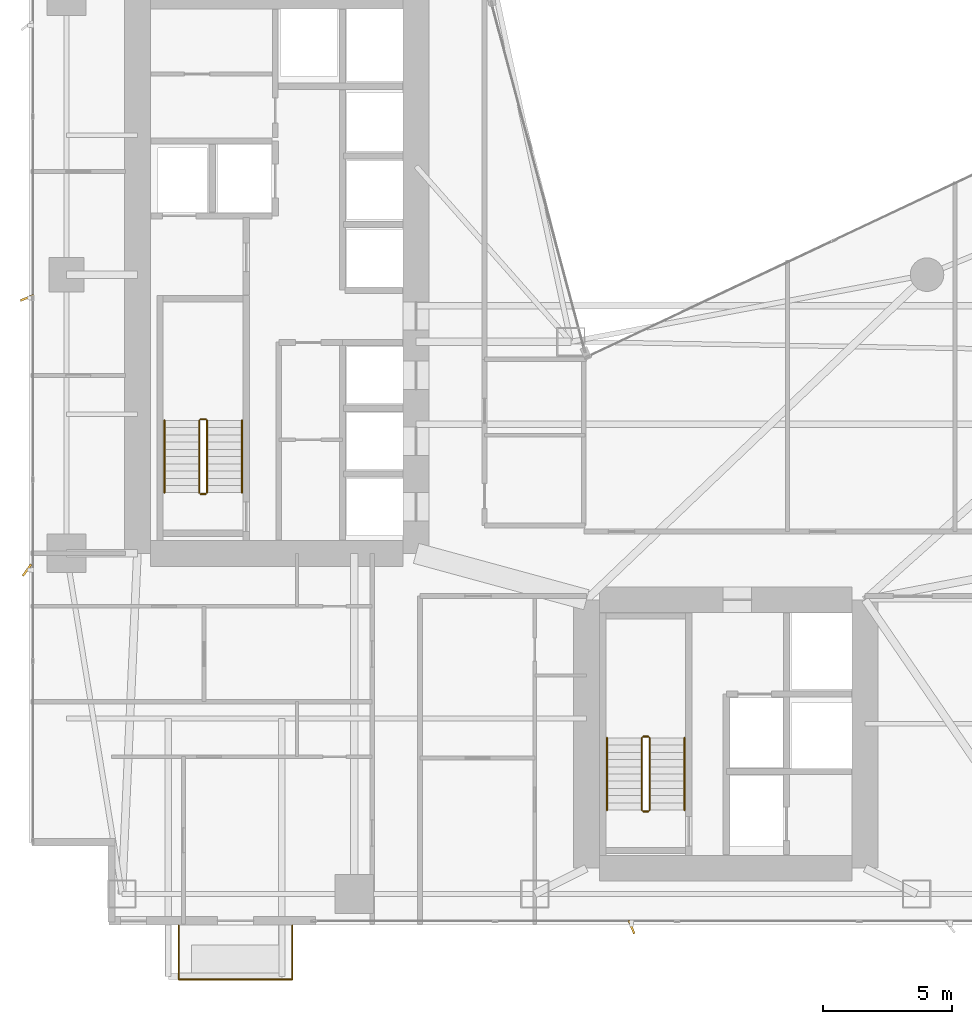
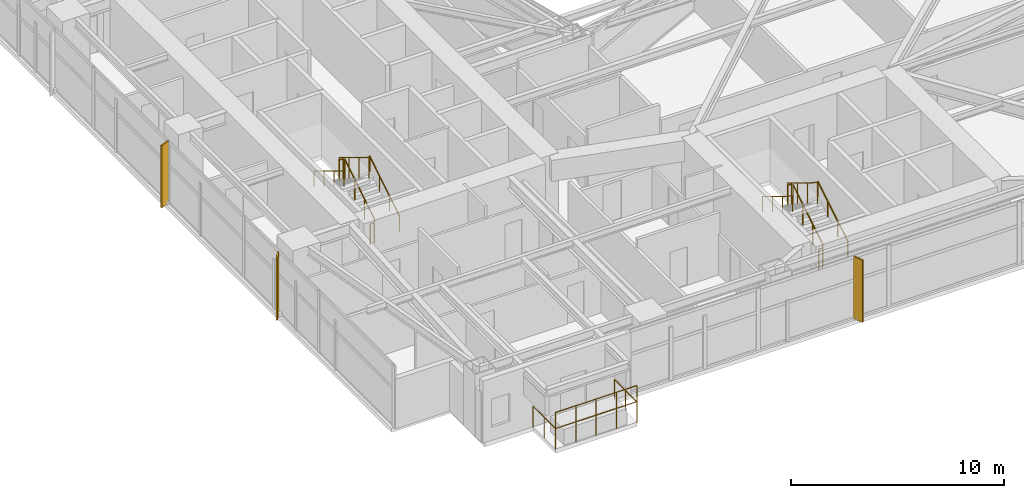
# One storey, part 28 of 29: 14 railings, 3 shading devices.
"""IFC4 building model written with IfcOpenShell, lengths in metres."""

from ifc_helpers import new_model, si_unit, direction, frame, origin, origin_2d, place, context, subcontext, project, spatial, rectangle, circle, extrude, material, type_object, element, save


model = new_model("IFC4")

# Units and contexts
model_context = context("Model", 3, precision=1e-05, world=origin(), true_north=direction((0.0, 1.0)))
body_context = subcontext(model_context, "Body", "Model", "MODEL_VIEW")
ifc_project = project(units=[si_unit("LENGTHUNIT", "METRE"), si_unit("AREAUNIT", "SQUARE_METRE"), si_unit("VOLUMEUNIT", "CUBIC_METRE"), si_unit("PLANEANGLEUNIT", "RADIAN"), si_unit("MASSUNIT", "GRAM", prefix="KILO")], contexts=[model_context])

# Site, building, storey
site_placement = place(None, origin())
site = spatial("IfcSite", under=ifc_project, at=site_placement, CompositionType="ELEMENT")
building_placement = place(site_placement, origin())
building = spatial("IfcBuilding", under=site, at=building_placement, Name="Calvorn Quay Hotel", CompositionType="ELEMENT")
storey_placement = place(building_placement, frame((0.0, 0.0, 85.0)))
storey = spatial("IfcBuildingStorey", under=building, at=storey_placement, Name="L20", CompositionType="ELEMENT", Elevation=85.0)

# Railings
ifc_material_1 = material(Name="Pale Anodised Aluminium and Laminated Glass", Category="aluminium")
railing_type_1 = type_object("IfcRailingType", Name="RLG-BALUSTRADE-1200", PredefinedType="BALUSTRADE", material=ifc_material_1)
railing_1_placement = place(storey_placement, frame((5.800048828125, 2.389892578125, 0.0)))
element("IfcRailing", 1, at=railing_1_placement, inside=storey, type_object=railing_type_1, Name="Tree Balcony Perimeter Balustrade L20-BALC-S", PredefinedType="BALUSTRADE", context=body_context, shape_type="SweptSolid", body=[
    extrude(circle(Radius=0.02392578125, at=origin_2d()), frame((0.0, 0.0, 1.17578125), z_axis=(0.0, -1.0, 0.0), x_axis=(1.0, 0.0, 0.0)), (0.0, 0.0, 1.0), 2.099853515625),
    extrude(circle(Radius=0.02392578125, at=origin_2d()), frame((0.0, -2.099853515625, 1.17578125), z_axis=(1.0, 0.0, 0.0), x_axis=(0.0, 1.0, 0.0)), (0.0, 0.0, 1.0), 4.39990234375),
    extrude(circle(Radius=0.02392578125, at=origin_2d()), frame((4.39990234375, -2.099853515625, 1.17578125), z_axis=(0.0, 1.0, 0.0), x_axis=(-1.0, 0.0, 0.0)), (0.0, 0.0, 1.0), 2.099853515625),
    extrude(circle(Radius=0.02099609375, at=origin_2d()), origin(), (0.0, 0.0, 1.0), 1.15185546875),
    extrude(circle(Radius=0.02099609375, at=origin_2d()), frame((0.0, -1.0498046875, 0.0)), (0.0, 0.0, 1.0), 1.15185546875),
    extrude(circle(Radius=0.02099609375, at=origin_2d()), frame((0.0, -2.099853515625, 0.0)), (0.0, 0.0, 1.0), 1.15185546875),
    extrude(circle(Radius=0.02099609375, at=origin_2d()), frame((1.10009765625, -2.099853515625, 0.0)), (0.0, 0.0, 1.0), 1.15185546875),
    extrude(circle(Radius=0.02099609375, at=origin_2d()), frame((2.199951171875, -2.099853515625, 0.0)), (0.0, 0.0, 1.0), 1.15185546875),
    extrude(circle(Radius=0.02099609375, at=origin_2d()), frame((3.2998046875, -2.099853515625, 0.0)), (0.0, 0.0, 1.0), 1.15185546875),
    extrude(circle(Radius=0.02099609375, at=origin_2d()), frame((4.39990234375, -2.099853515625, 0.0)), (0.0, 0.0, 1.0), 1.15185546875),
    extrude(circle(Radius=0.02099609375, at=origin_2d()), frame((4.39990234375, -1.0498046875, 0.0)), (0.0, 0.0, 1.0), 1.15185546875),
    extrude(circle(Radius=0.02099609375, at=origin_2d()), frame((4.39990234375, 0.0, 0.0)), (0.0, 0.0, 1.0), 1.15185546875),
])
railing_2_placement = place(storey_placement, frame((5.800048828125, 0.2900390625, 0.89990234375)))
element("IfcRailing", 2, at=railing_2_placement, inside=storey, type_object=railing_type_1, Name="Planter Kerb High Safety Screen L20-BALC-S", PredefinedType="BALUSTRADE", context=body_context, shape_type="SweptSolid", body=[
    extrude(circle(Radius=0.02392578125, at=origin_2d()), frame((0.0, 0.0, 1.19580078125), z_axis=(1.0, 0.0, 0.0), x_axis=(0.0, 1.0, 0.0)), (0.0, 0.0, 1.0), 4.39990234375),
    extrude(circle(Radius=0.02099609375, at=origin_2d()), origin(), (0.0, 0.0, 1.0), 1.171875),
    extrude(circle(Radius=0.02099609375, at=origin_2d()), frame((1.10009765625, 0.0, 0.0)), (0.0, 0.0, 1.0), 1.171875),
    extrude(circle(Radius=0.02099609375, at=origin_2d()), frame((2.199951171875, 0.0, 0.0)), (0.0, 0.0, 1.0), 1.171875),
    extrude(circle(Radius=0.02099609375, at=origin_2d()), frame((3.2998046875, 0.0, 0.0)), (0.0, 0.0, 1.0), 1.171875),
    extrude(circle(Radius=0.02099609375, at=origin_2d()), frame((4.39990234375, 0.0, 0.0)), (0.0, 0.0, 1.0), 1.171875),
])
ifc_material_2 = material(Name="Brushed Stainless Steel Handrail", Category="steel")
railing_type_2 = type_object("IfcRailingType", Name="RLG-HANDRAIL-900", PredefinedType="HANDRAIL", material=ifc_material_2)
railing_3_placement = place(storey_placement, frame((8.25, 19.14990234375, 0.172607421875)))
element("IfcRailing", 3, at=railing_3_placement, inside=storey, type_object=railing_type_2, Name="L20 ST-W stair handrail 1", PredefinedType="HANDRAIL", context=body_context, shape_type="SweptSolid", body=[
    extrude(circle(Radius=0.02392578125, at=origin_2d()), frame((0.0, 0.0, 0.8759765625), z_axis=(0.0, 0.851089632645, 0.525020415988), x_axis=(-1.0, 0.0, 0.0)), (0.0, 0.0, 1.0), 3.2900390625),
    extrude(circle(Radius=0.02099609375, at=origin_2d()), origin(), (0.0, 0.0, 1.0), 0.851806640625),
    extrude(circle(Radius=0.02099609375, at=origin_2d()), frame((0.0, 0.933349609375, 0.57568359375)), (0.0, 0.0, 1.0), 0.851806640625),
    extrude(circle(Radius=0.02099609375, at=origin_2d()), frame((0.0, 1.86669921875, 1.151611328125)), (0.0, 0.0, 1.0), 0.851806640625),
    extrude(circle(Radius=0.02099609375, at=origin_2d()), frame((0.0, 2.800048828125, 1.727294921875)), (0.0, 0.0, 1.0), 0.851806640625),
])
railing_4_placement = place(storey_placement, frame((5.25, 21.949951171875, 2.07275390625)))
element("IfcRailing", 4, at=railing_4_placement, inside=storey, type_object=railing_type_2, Name="L20 ST-W stair handrail 2", PredefinedType="HANDRAIL", context=body_context, shape_type="SweptSolid", body=[
    extrude(circle(Radius=0.02392578125, at=origin_2d()), frame((0.0, 0.0, 0.8759765625), z_axis=(0.0, -0.851089632645, 0.525020415988), x_axis=(1.0, 0.0, 0.0)), (0.0, 0.0, 1.0), 3.2900390625),
    extrude(circle(Radius=0.02099609375, at=origin_2d()), origin(), (0.0, 0.0, 1.0), 0.851806640625),
    extrude(circle(Radius=0.02099609375, at=origin_2d()), frame((0.0, -0.933349609375, 0.57568359375)), (0.0, 0.0, 1.0), 0.851806640625),
    extrude(circle(Radius=0.02099609375, at=origin_2d()), frame((0.0, -1.86669921875, 1.151611328125)), (0.0, 0.0, 1.0), 0.851806640625),
    extrude(circle(Radius=0.02099609375, at=origin_2d()), frame((0.0, -2.800048828125, 1.727294921875)), (0.0, 0.0, 1.0), 0.851806640625),
])
railing_5_placement = place(storey_placement, frame((25.39990234375, 6.85009765625, 0.172607421875)))
element("IfcRailing", 5, at=railing_5_placement, inside=storey, type_object=railing_type_2, Name="L20 ST-E stair handrail 1", PredefinedType="HANDRAIL", context=body_context, shape_type="SweptSolid", body=[
    extrude(circle(Radius=0.02392578125, at=origin_2d()), frame((0.0, 0.0, 0.8759765625), z_axis=(0.0, 0.851069175582, 0.525053576669), x_axis=(-1.0, 0.0, 0.0)), (0.0, 0.0, 1.0), 3.289794921875),
    extrude(circle(Radius=0.02099609375, at=origin_2d()), origin(), (0.0, 0.0, 1.0), 0.851806640625),
    extrude(circle(Radius=0.02099609375, at=origin_2d()), frame((0.0, 0.933349609375, 0.57568359375)), (0.0, 0.0, 1.0), 0.851806640625),
    extrude(circle(Radius=0.02099609375, at=origin_2d()), frame((0.0, 1.866455078125, 1.151611328125)), (0.0, 0.0, 1.0), 0.851806640625),
    extrude(circle(Radius=0.02099609375, at=origin_2d()), frame((0.0, 2.7998046875, 1.727294921875)), (0.0, 0.0, 1.0), 0.851806640625),
])
railing_6_placement = place(storey_placement, frame((22.39990234375, 9.64990234375, 2.07275390625)))
element("IfcRailing", 6, at=railing_6_placement, inside=storey, type_object=railing_type_2, Name="L20 ST-E stair handrail 2", PredefinedType="HANDRAIL", context=body_context, shape_type="SweptSolid", body=[
    extrude(circle(Radius=0.02392578125, at=origin_2d()), frame((0.0, 0.0, 0.8759765625), z_axis=(0.0, -0.851069175582, 0.525053576669), x_axis=(1.0, 0.0, 0.0)), (0.0, 0.0, 1.0), 3.289794921875),
    extrude(circle(Radius=0.02099609375, at=origin_2d()), origin(), (0.0, 0.0, 1.0), 0.851806640625),
    extrude(circle(Radius=0.02099609375, at=origin_2d()), frame((0.0, -0.933349609375, 0.57568359375)), (0.0, 0.0, 1.0), 0.851806640625),
    extrude(circle(Radius=0.02099609375, at=origin_2d()), frame((0.0, -1.866455078125, 1.151611328125)), (0.0, 0.0, 1.0), 0.851806640625),
    extrude(circle(Radius=0.02099609375, at=origin_2d()), frame((0.0, -2.7998046875, 1.727294921875)), (0.0, 0.0, 1.0), 0.851806640625),
])
ifc_material_3 = material(Name="Painted Galvanised Steel Balustrade", Category="steel")
railing_type_3 = type_object("IfcRailingType", Name="RLG-STAIR-GUARD-1120", PredefinedType="GUARDRAIL", material=ifc_material_3)
railing_7_placement = place(storey_placement, frame((6.89990234375, 19.14990234375, 0.172607421875)))
element("IfcRailing", 7, at=railing_7_placement, inside=storey, type_object=railing_type_3, Name="L20 ST-W stair guard 1", PredefinedType="GUARDRAIL", context=body_context, shape_type="SweptSolid", body=[
    extrude(circle(Radius=0.02392578125, at=origin_2d()), frame((0.0, 0.0, 1.17578125), z_axis=(0.0, 0.851089632645, 0.525020415988), x_axis=(-1.0, 0.0, 0.0)), (0.0, 0.0, 1.0), 3.2900390625),
    extrude(circle(Radius=0.02099609375, at=origin_2d()), origin(), (0.0, 0.0, 1.0), 1.15185546875),
    extrude(circle(Radius=0.02099609375, at=origin_2d()), frame((0.0, 0.933349609375, 0.57568359375)), (0.0, 0.0, 1.0), 1.15185546875),
    extrude(circle(Radius=0.02099609375, at=origin_2d()), frame((0.0, 1.86669921875, 1.151611328125)), (0.0, 0.0, 1.0), 1.15185546875),
    extrude(circle(Radius=0.02099609375, at=origin_2d()), frame((0.0, 2.800048828125, 1.727294921875)), (0.0, 0.0, 1.0), 1.15185546875),
])
railing_8_placement = place(storey_placement, frame((6.85009765625, 22.0, 1.89990234375)))
element("IfcRailing", 8, at=railing_8_placement, inside=storey, type_object=railing_type_3, Name="L20 ST-W stair guard 2", PredefinedType="GUARDRAIL", context=body_context, shape_type="SweptSolid", body=[
    extrude(circle(Radius=0.02392578125, at=origin_2d()), frame((0.0, 0.0, 1.17578125), z_axis=(-1.0, 0.0, 0.0), x_axis=(0.0, -1.0, 0.0)), (0.0, 0.0, 1.0), 0.2001953125),
    extrude(circle(Radius=0.02099609375, at=origin_2d()), origin(), (0.0, 0.0, 1.0), 1.15185546875),
    extrude(circle(Radius=0.02099609375, at=origin_2d()), frame((-0.2001953125, 0.0, 0.0)), (0.0, 0.0, 1.0), 1.15185546875),
])
railing_9_placement = place(storey_placement, frame((6.60009765625, 21.949951171875, 2.07275390625)))
element("IfcRailing", 9, at=railing_9_placement, inside=storey, type_object=railing_type_3, Name="L20 ST-W stair guard 3", PredefinedType="GUARDRAIL", context=body_context, shape_type="SweptSolid", body=[
    extrude(circle(Radius=0.02392578125, at=origin_2d()), frame((0.0, 0.0, 1.17578125), z_axis=(0.0, -0.851089632645, 0.525020415988), x_axis=(1.0, 0.0, 0.0)), (0.0, 0.0, 1.0), 3.2900390625),
    extrude(circle(Radius=0.02099609375, at=origin_2d()), origin(), (0.0, 0.0, 1.0), 1.15185546875),
    extrude(circle(Radius=0.02099609375, at=origin_2d()), frame((0.0, -0.933349609375, 0.57568359375)), (0.0, 0.0, 1.0), 1.15185546875),
    extrude(circle(Radius=0.02099609375, at=origin_2d()), frame((0.0, -1.86669921875, 1.151611328125)), (0.0, 0.0, 1.0), 1.15185546875),
    extrude(circle(Radius=0.02099609375, at=origin_2d()), frame((0.0, -2.800048828125, 1.727294921875)), (0.0, 0.0, 1.0), 1.15185546875),
])
railing_10_placement = place(storey_placement, frame((6.85009765625, 19.10009765625, 0.0)))
element("IfcRailing", 10, at=railing_10_placement, inside=storey, type_object=railing_type_3, Name="L20 ST-W stair guard 4", PredefinedType="GUARDRAIL", context=body_context, shape_type="SweptSolid", body=[
    extrude(circle(Radius=0.02392578125, at=origin_2d()), frame((0.0, 0.0, 1.17578125), z_axis=(-1.0, 0.0, 0.0), x_axis=(0.0, -1.0, 0.0)), (0.0, 0.0, 1.0), 0.2001953125),
    extrude(circle(Radius=0.02099609375, at=origin_2d()), origin(), (0.0, 0.0, 1.0), 1.15185546875),
    extrude(circle(Radius=0.02099609375, at=origin_2d()), frame((-0.2001953125, 0.0, 0.0)), (0.0, 0.0, 1.0), 1.15185546875),
])
railing_11_placement = place(storey_placement, frame((24.050048828125, 6.85009765625, 0.172607421875)))
element("IfcRailing", 11, at=railing_11_placement, inside=storey, type_object=railing_type_3, Name="L20 ST-E stair guard 1", PredefinedType="GUARDRAIL", context=body_context, shape_type="SweptSolid", body=[
    extrude(circle(Radius=0.02392578125, at=origin_2d()), frame((0.0, 0.0, 1.17578125), z_axis=(0.0, 0.851069175582, 0.525053576669), x_axis=(-1.0, 0.0, 0.0)), (0.0, 0.0, 1.0), 3.289794921875),
    extrude(circle(Radius=0.02099609375, at=origin_2d()), origin(), (0.0, 0.0, 1.0), 1.15185546875),
    extrude(circle(Radius=0.02099609375, at=origin_2d()), frame((0.0, 0.933349609375, 0.57568359375)), (0.0, 0.0, 1.0), 1.15185546875),
    extrude(circle(Radius=0.02099609375, at=origin_2d()), frame((0.0, 1.866455078125, 1.151611328125)), (0.0, 0.0, 1.0), 1.15185546875),
    extrude(circle(Radius=0.02099609375, at=origin_2d()), frame((0.0, 2.7998046875, 1.727294921875)), (0.0, 0.0, 1.0), 1.15185546875),
])
railing_12_placement = place(storey_placement, frame((24.0, 9.699951171875, 1.89990234375)))
element("IfcRailing", 12, at=railing_12_placement, inside=storey, type_object=railing_type_3, Name="L20 ST-E stair guard 2", PredefinedType="GUARDRAIL", context=body_context, shape_type="SweptSolid", body=[
    extrude(circle(Radius=0.02392578125, at=origin_2d()), frame((0.0, 0.0, 1.17578125), z_axis=(-1.0, 0.0, 0.0), x_axis=(0.0, -1.0, 0.0)), (0.0, 0.0, 1.0), 0.199951171875),
    extrude(circle(Radius=0.02099609375, at=origin_2d()), origin(), (0.0, 0.0, 1.0), 1.15185546875),
    extrude(circle(Radius=0.02099609375, at=origin_2d()), frame((-0.199951171875, 0.0, 0.0)), (0.0, 0.0, 1.0), 1.15185546875),
])
railing_13_placement = place(storey_placement, frame((23.75, 9.64990234375, 2.07275390625)))
element("IfcRailing", 13, at=railing_13_placement, inside=storey, type_object=railing_type_3, Name="L20 ST-E stair guard 3", PredefinedType="GUARDRAIL", context=body_context, shape_type="SweptSolid", body=[
    extrude(circle(Radius=0.02392578125, at=origin_2d()), frame((0.0, 0.0, 1.17578125), z_axis=(0.0, -0.851069175582, 0.525053576669), x_axis=(1.0, 0.0, 0.0)), (0.0, 0.0, 1.0), 3.289794921875),
    extrude(circle(Radius=0.02099609375, at=origin_2d()), origin(), (0.0, 0.0, 1.0), 1.15185546875),
    extrude(circle(Radius=0.02099609375, at=origin_2d()), frame((0.0, -0.933349609375, 0.57568359375)), (0.0, 0.0, 1.0), 1.15185546875),
    extrude(circle(Radius=0.02099609375, at=origin_2d()), frame((0.0, -1.866455078125, 1.151611328125)), (0.0, 0.0, 1.0), 1.15185546875),
    extrude(circle(Radius=0.02099609375, at=origin_2d()), frame((0.0, -2.7998046875, 1.727294921875)), (0.0, 0.0, 1.0), 1.15185546875),
])
railing_14_placement = place(storey_placement, frame((24.0, 6.800048828125, 0.0)))
element("IfcRailing", 14, at=railing_14_placement, inside=storey, type_object=railing_type_3, Name="L20 ST-E stair guard 4", PredefinedType="GUARDRAIL", context=body_context, shape_type="SweptSolid", body=[
    extrude(circle(Radius=0.02392578125, at=origin_2d()), frame((0.0, 0.0, 1.17578125), z_axis=(-1.0, 0.0, 0.0), x_axis=(0.0, -1.0, 0.0)), (0.0, 0.0, 1.0), 0.199951171875),
    extrude(circle(Radius=0.02099609375, at=origin_2d()), origin(), (0.0, 0.0, 1.0), 1.15185546875),
    extrude(circle(Radius=0.02099609375, at=origin_2d()), frame((-0.199951171875, 0.0, 0.0)), (0.0, 0.0, 1.0), 1.15185546875),
])

# Shading devices
ifc_material_4 = material(Name="Champagne Bronze Anodised Aluminium 6063-T6", Category="aluminium")
shading_device_type_1 = type_object("IfcShadingDeviceType", Name="SHD-FIN-A1", PredefinedType="USERDEFINED", material=ifc_material_4)
for number, where, z_axis, x_axis, name in (
    (15, (-0.080078125, 26.699951171875, 0.0), (0.0, 0.0, 1.0), (0.927183854567, 0.374606593416, 0.0), "Diagonal Sun-Shading Fin L20-W02"),
    (16, (23.35009765625, 2.320068359375, 0.0), (0.0, 0.0, 1.0), (-0.374606593416, 0.927183854567, 0.0), "Diagonal Sun-Shading Fin L20-S01"),
):
    element("IfcShadingDevice", number, at=place(storey_placement, frame(where, z_axis=z_axis, x_axis=x_axis)), inside=storey, type_object=shading_device_type_1, Name=name, ObjectType="FIN", PredefinedType="USERDEFINED", context=body_context, shape_type="SweptSolid", body=[
        extrude(rectangle(XDim=0.550048828125, YDim=0.080078125, at=origin_2d()), origin(), (0.0, 0.0, 1.0), 3.56005859375),
    ])
ifc_material_5 = material(Name="Champagne Bronze Anodised Aluminium 6063-T6", Category="aluminium")
shading_device_type_2 = type_object("IfcShadingDeviceType", Name="SHD-FIN-A3", PredefinedType="USERDEFINED", material=ifc_material_5)
shading_device_placement = place(storey_placement, frame((-0.080078125, 16.14990234375, 0.0), z_axis=(0.0, 0.0, 1.0), x_axis=(0.587785252292, 0.809016994375, 0.0)))
element("IfcShadingDevice", 17, at=shading_device_placement, inside=storey, type_object=shading_device_type_2, Name="Diagonal Sun-Shading Fin L20-W01", ObjectType="FIN", PredefinedType="USERDEFINED", context=body_context, shape_type="SweptSolid", body=[
    extrude(rectangle(XDim=0.550048828125, YDim=0.080078125, at=origin_2d()), origin(), (0.0, 0.0, 1.0), 3.56005859375),
])

save(model, "model.ifc")
